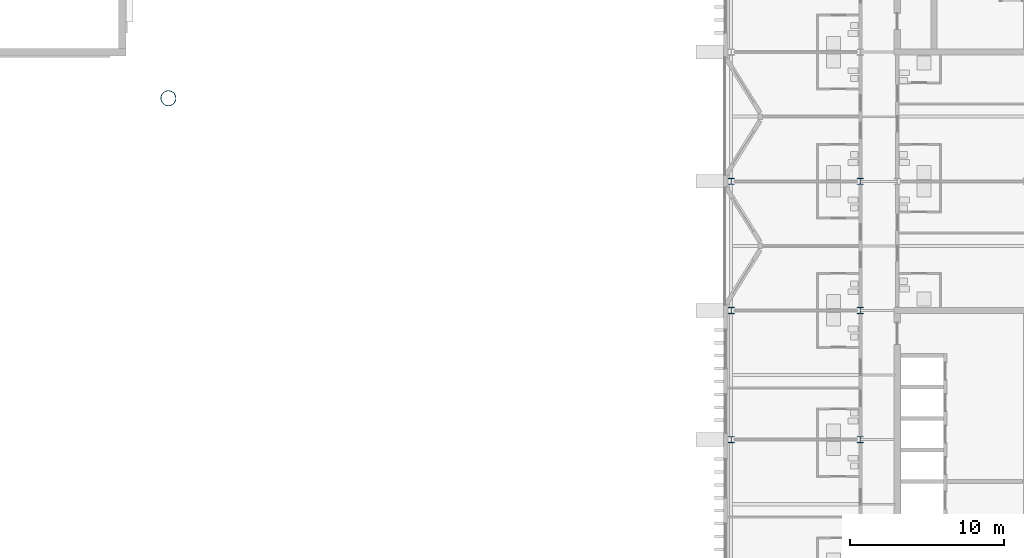
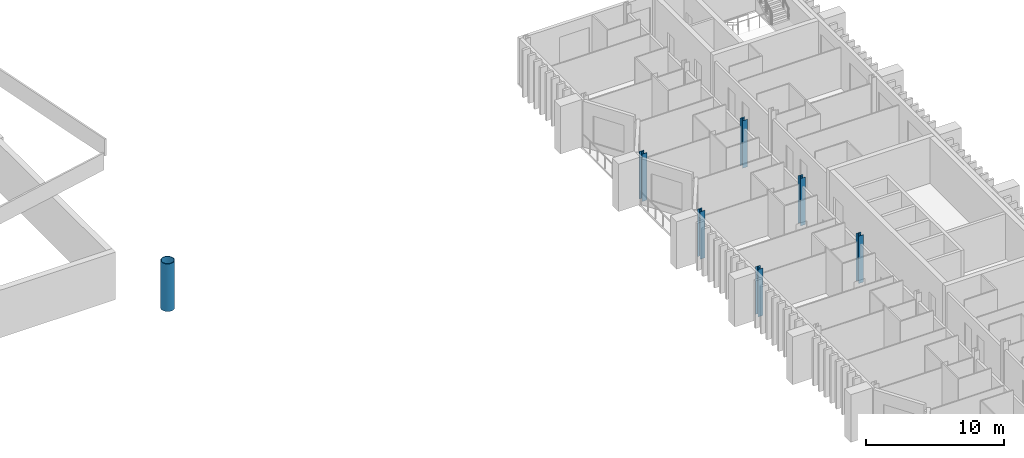
# One storey, part 3 of 21: 7 columns.
"""IFC4 building model written with IfcOpenShell, lengths in metres."""

from ifc_helpers import new_model, si_unit, direction, frame, origin, origin_2d, place, context, subcontext, project, spatial, hollow_circle, i_section, extrude, material, material_profile, profile_set, type_object, element, save


model = new_model("IFC4")

# Units and contexts
model_context = context("Model", 3, precision=1e-05, world=origin(), true_north=direction((0.0, 1.0)))
body_context = subcontext(model_context, "Body", "Model", "MODEL_VIEW")
ifc_project = project(units=[si_unit("LENGTHUNIT", "METRE"), si_unit("AREAUNIT", "SQUARE_METRE"), si_unit("VOLUMEUNIT", "CUBIC_METRE"), si_unit("PLANEANGLEUNIT", "RADIAN"), si_unit("MASSUNIT", "GRAM", prefix="KILO")], contexts=[model_context])

# Site, building, storey
site_placement = place(None, origin())
site = spatial("IfcSite", under=ifc_project, at=site_placement, CompositionType="ELEMENT")
building_placement = place(site_placement, origin())
building = spatial("IfcBuilding", under=site, at=building_placement, Name="Cresset Court Congress Hotel", CompositionType="ELEMENT")
storey_placement = place(building_placement, frame((0.0, 0.0, 22.800048828125)))
storey = spatial("IfcBuildingStorey", under=building, at=storey_placement, Name="L05", CompositionType="ELEMENT", Elevation=22.800048828125)

# Columns
ifc_material_1 = material(Name="Structural steel Q355B", Category="steel")
ifc_material_profile_1 = material_profile(ifc_material_1, hollow_circle(Radius=0.508056640625, WallThickness=0.050048828125, at=origin_2d()), Name="CHS1016x50")
ifc_profile_set_1 = profile_set([ifc_material_profile_1], Name="Structural steel Q355B")
column_type_1 = type_object("IfcColumnType", Name="Mast tube 1016x50", PredefinedType="COLUMN", material=ifc_profile_set_1)
column_placement = place(storey_placement, frame((120.60009765625, 55.800048828125, 0.0), z_axis=(0.0, 0.0, 1.0), x_axis=(1.0, 0.0, 0.0)))
element("IfcColumn", 1, at=column_placement, inside=storey, type_object=column_type_1, Name="Mast M2", PredefinedType="COLUMN", context=body_context, shape_type="SweptSolid", body=[
    extrude(hollow_circle(Radius=0.508056640625, WallThickness=0.050048828125, at=origin_2d()), origin(), (0.0, 0.0, 1.0), 4.199951171875),
])
ifc_material_2 = material(Name="Structural steel Q355B", Category="steel")
ifc_material_profile_2 = material_profile(ifc_material_2, i_section(OverallWidth=0.39990234375, OverallDepth=0.39990234375, WebThickness=0.012939453125, FlangeThickness=0.02099609375, FilletRadius=0.02197265625, at=origin_2d()), Name="HW400x400x13x21")
ifc_profile_set_2 = profile_set([ifc_material_profile_2], Name="Structural steel Q355B")
column_type_2 = type_object("IfcColumnType", Name="Steel column HW400x400x13x21", PredefinedType="COLUMN", material=ifc_profile_set_2)
for number, where, z_axis, x_axis, name in (
    (2, (157.199951171875, 33.60009765625, 0.0), (0.0, 0.0, 1.0), (1.0, 0.0, 0.0), "Column L05 5-20"),
    (3, (157.199951171875, 42.0, 0.0), (0.0, 0.0, 1.0), (1.0, 0.0, 0.0), "Column L05 6-20"),
    (4, (157.199951171875, 50.39990234375, 0.0), (0.0, 0.0, 1.0), (1.0, 0.0, 0.0), "Column L05 7-20"),
    (5, (165.60009765625, 33.60009765625, 0.0), (0.0, 0.0, 1.0), (1.0, 0.0, 0.0), "Column L05 5-21"),
    (6, (165.60009765625, 42.0, 0.0), (0.0, 0.0, 1.0), (1.0, 0.0, 0.0), "Column L05 6-21"),
    (7, (165.60009765625, 50.39990234375, 0.0), (0.0, 0.0, 1.0), (1.0, 0.0, 0.0), "Column L05 7-21"),
):
    element("IfcColumn", number, at=place(storey_placement, frame(where, z_axis=z_axis, x_axis=x_axis)), inside=storey, type_object=column_type_2, Name=name, PredefinedType="COLUMN", context=body_context, shape_type="SweptSolid", body=[
        extrude(i_section(OverallWidth=0.39990234375, OverallDepth=0.39990234375, WebThickness=0.012939453125, FlangeThickness=0.02099609375, FilletRadius=0.02197265625, at=origin_2d()), origin(), (0.0, 0.0, 1.0), 4.199951171875),
    ])

save(model, "model.ifc")
